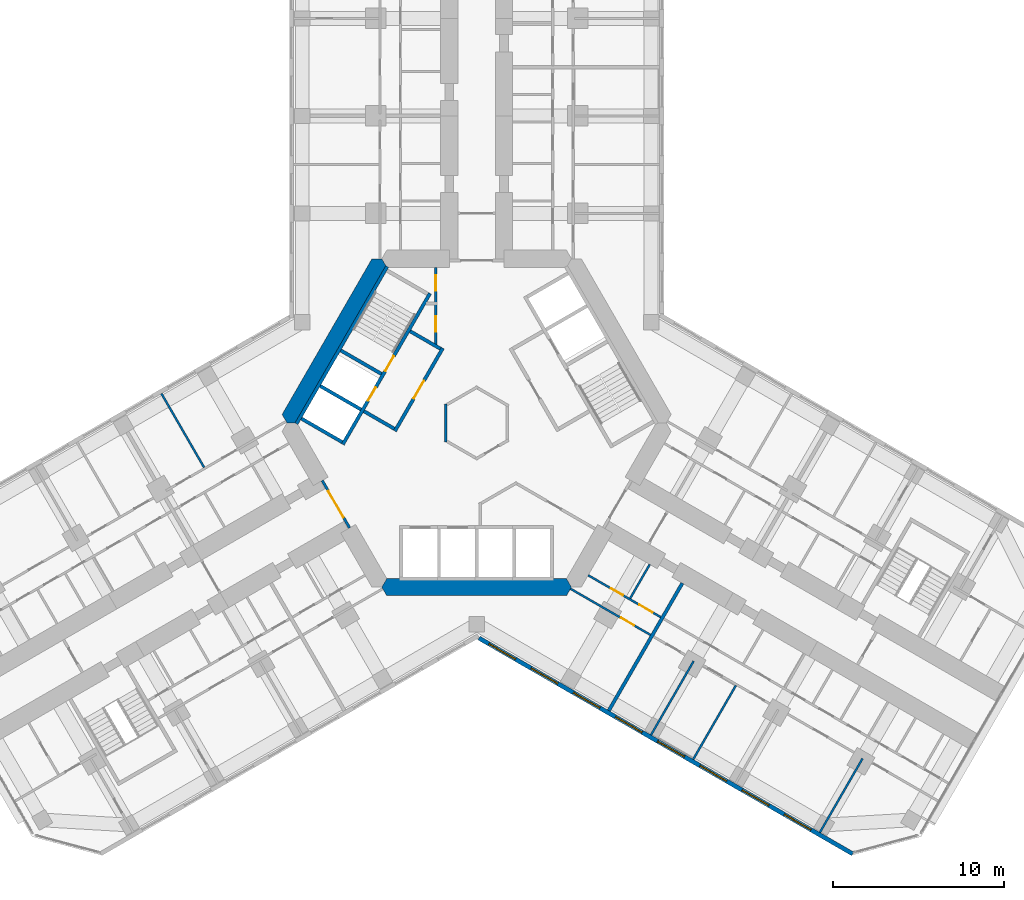
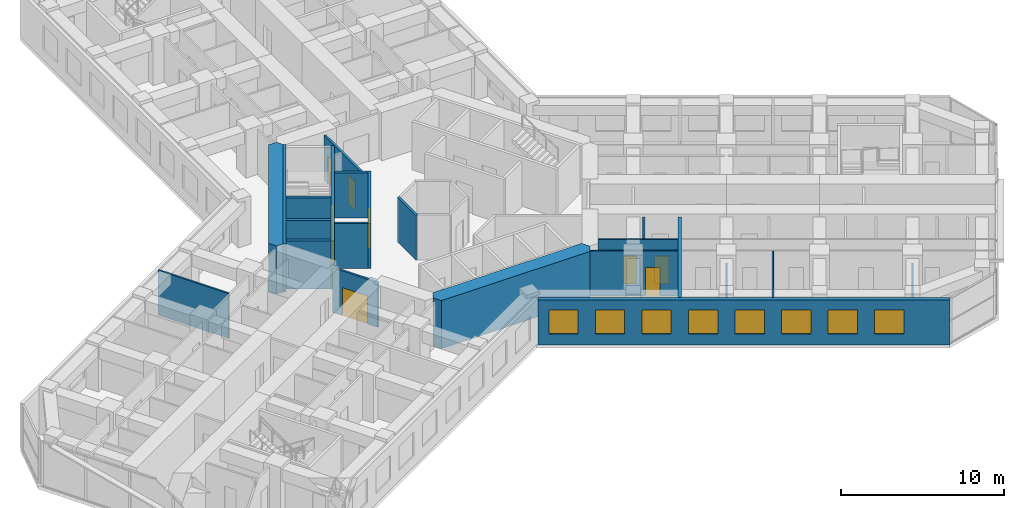
# One storey, part 13 of 21: 22 walls, 9 doors, 8 windows, 17 openings.
"""IFC4 building model written with IfcOpenShell, lengths in metres."""

from ifc_helpers import new_model, si_unit, direction, frame, frame_2d, origin, place, context, subcontext, project, spatial, polyline, rectangle, outline, extrude, material, layer, layer_set, type_object, element, fill, save


model = new_model("IFC4")

# Units and contexts
model_context = context("Model", 3, precision=1e-05, world=origin(), true_north=direction((0.0, 1.0)))
body_context = subcontext(model_context, "Body", "Model", "MODEL_VIEW")
ifc_project = project(units=[si_unit("LENGTHUNIT", "METRE"), si_unit("AREAUNIT", "SQUARE_METRE"), si_unit("VOLUMEUNIT", "CUBIC_METRE"), si_unit("PLANEANGLEUNIT", "RADIAN"), si_unit("MASSUNIT", "GRAM", prefix="KILO")], contexts=[model_context])

# Site, building, storey
site_placement = place(None, origin())
site = spatial("IfcSite", under=ifc_project, at=site_placement, CompositionType="ELEMENT")
building_placement = place(site_placement, origin())
building = spatial("IfcBuilding", under=site, at=building_placement, Name="Kosmar Iwan School Tower", CompositionType="ELEMENT")
storey_placement = place(building_placement, frame((0.0, 0.0, 80.800048828125)))
storey = spatial("IfcBuildingStorey", under=building, at=storey_placement, Name="L19", CompositionType="ELEMENT", Elevation=80.800048828125)

# Wall, openings, doors
ifc_material_1 = material(Name="Gypsum board on steel studs, fire-rated", Category="steel")
ifc_layer_1 = layer(ifc_material_1, 0.14990234375)
ifc_layer_set_1 = layer_set([ifc_layer_1], Name="Core room partition 150")
wall_type_1 = type_object("IfcWallType", Name="Core room partition 150", PredefinedType="PARTITIONING", material=ifc_layer_set_1)
wall_1_placement = place(storey_placement, frame((-2.39990234375, 9.094970703125, 0.0), z_axis=(0.0, 0.0, 1.0), x_axis=(0.0, -1.0, 0.0)))
wall_1 = element("IfcWall", 1, at=wall_1_placement, inside=storey, type_object=wall_type_1, Name="Core room partition L19-CW1", PredefinedType="PARTITIONING", context=body_context, shape_type="SweptSolid", body=[
    extrude(rectangle(XDim=4.564208984375, YDim=0.14990234375, at=frame_2d((2.2822265625, 0.0))), origin(), (0.0, 0.0, 1.0), 3.349853515625),
])
opening_1_placement = place(wall_1_placement, frame((0.455078125, 0.0, 0.0)))
opening_1 = element("IfcOpeningElement", 2, at=opening_1_placement, cuts=wall_1, Name="Opening D14", PredefinedType="OPENING", context=body_context, shape_type="SweptSolid", body=[
    extrude(rectangle(XDim=0.89990234375, YDim=2.10009765625, at=frame_2d((0.449951171875, 1.050048828125))), frame((0.0, 0.0869140625, 0.0), z_axis=(0.0, -1.0, 0.0), x_axis=(1.0, 0.0, 0.0)), (0.0, 0.0, 1.0), 0.173828125),
])
opening_2_placement = place(wall_1_placement, frame((2.85498046875, 0.0, 0.0)))
opening_2 = element("IfcOpeningElement", 3, at=opening_2_placement, cuts=wall_1, Name="Opening D14", PredefinedType="OPENING", context=body_context, shape_type="SweptSolid", body=[
    extrude(rectangle(XDim=0.89990234375, YDim=2.10009765625, at=frame_2d((0.449951171875, 1.050048828125))), frame((0.0, 0.0869140625, 0.0), z_axis=(0.0, -1.0, 0.0), x_axis=(1.0, 0.0, 0.0)), (0.0, 0.0, 1.0), 0.173828125),
])
ifc_material_2 = material(Name="Timber fire door in steel frame", Category="steel")
door_type_1 = type_object("IfcDoorType", Name="Core room door 900x2100", OperationType="SINGLE_SWING_LEFT", PredefinedType="DOOR", material=ifc_material_2)
door_1_placement = place(opening_1_placement, origin())
door_1 = element("IfcDoor", 4, at=door_1_placement, inside=storey, type_object=door_type_1, Name="Electrical riser and switch room door L19 1", OperationType="SINGLE_SWING_LEFT", OverallHeight=2.10009765625, OverallWidth=0.89990234375, PredefinedType="DOOR", context=body_context, shape_type="SweptSolid", body=[
    extrude(rectangle(XDim=0.89990234375, YDim=2.10009765625, at=frame_2d((0.449951171875, 1.050048828125))), frame((0.0, 0.02490234375, 0.0), z_axis=(0.0, -1.0, 0.0), x_axis=(1.0, 0.0, 0.0)), (0.0, 0.0, 1.0), 0.050048828125),
])
fill(opening_1, door_1)
door_2_placement = place(opening_2_placement, origin())
door_2 = element("IfcDoor", 5, at=door_2_placement, inside=storey, type_object=door_type_1, Name="Plumbing and wet riser door L19 2", OperationType="SINGLE_SWING_RIGHT", OverallHeight=2.10009765625, OverallWidth=0.89990234375, PredefinedType="DOOR", context=body_context, shape_type="SweptSolid", body=[
    extrude(rectangle(XDim=0.89990234375, YDim=2.10009765625, at=frame_2d((0.449951171875, 1.050048828125))), frame((0.0, 0.02490234375, 0.0), z_axis=(0.0, -1.0, 0.0), x_axis=(1.0, 0.0, 0.0)), (0.0, 0.0, 1.0), 0.050048828125),
])
fill(opening_2, door_2)

# Walls
wall_2_placement = place(storey_placement, frame((-1.800048828125, -1.1142578125, 0.0), z_axis=(0.0, 0.0, 1.0), x_axis=(0.0, 1.0, 0.0)))
element("IfcWall", 6, at=wall_2_placement, inside=storey, type_object=wall_type_1, Name="Core room partition L19-CW6", PredefinedType="PARTITIONING", context=body_context, shape_type="SweptSolid", body=[
    extrude(rectangle(XDim=2.228515625, YDim=0.14990234375, at=frame_2d((1.1142578125, 0.0))), origin(), (0.0, 0.0, 1.0), 3.349853515625),
])
ifc_material_3 = material(Name="Concrete C50/60", Category="concrete")
ifc_layer_2 = layer(ifc_material_3, 1.0)
ifc_layer_set_2 = layer_set([ifc_layer_2], Name="Core wall 1000")
wall_type_2 = type_object("IfcWallType", Name="Core wall 1000", PredefinedType="SHEAR", material=ifc_layer_set_2)
wall_3_placement = place(storey_placement, origin())
element("IfcWall", 7, at=wall_3_placement, inside=storey, type_object=wall_type_2, Name="Core wall F150", PredefinedType="SHEAR", context=body_context, shape_type="SweptSolid", body=[
    extrude(outline(polyline([(-11.085205078125, 0.0), (-10.5078125, 0.0), (-5.25390625, 9.10009765625), (-5.54248046875, 9.60009765625), (-6.119873046875, 9.60009765625), (-11.373779296875, 0.5), (-11.085205078125, 0.0)])), origin(), (0.0, 0.0, 1.0), 3.599853515625),
])
wall_4_placement = place(storey_placement, origin())
element("IfcWall", 8, at=wall_4_placement, inside=storey, type_object=wall_type_2, Name="Core wall F270", PredefinedType="SHEAR", context=body_context, shape_type="SweptSolid", body=[
    extrude(outline(polyline([(-5.25390625, -10.10009765625), (5.25390625, -10.10009765625), (5.54248046875, -9.60009765625), (5.25390625, -9.10009765625), (-5.25390625, -9.10009765625), (-5.54248046875, -9.60009765625), (-5.25390625, -10.10009765625)])), origin(), (0.0, 0.0, 1.0), 3.599853515625),
])

# Wall, opening, door
ifc_material_4 = material(Name="Steel framed glazed screen", Category="steel")
ifc_layer_3 = layer(ifc_material_4, 0.14990234375)
ifc_layer_set_3 = layer_set([ifc_layer_3], Name="Corridor screen wall 150")
wall_type_3 = type_object("IfcWallType", Name="Corridor screen wall 150", PredefinedType="PARTITIONING", material=ifc_layer_set_3)
wall_5_placement = place(storey_placement, frame((-9.02734375, -3.3642578125, 0.0), z_axis=(0.0, 0.0, 1.0), x_axis=(0.499995408039, -0.866028054938, 0.0)))
wall_5 = element("IfcWall", 9, at=wall_5_placement, inside=storey, type_object=wall_type_3, Name="Corridor screen B L19", PredefinedType="PARTITIONING", context=body_context, shape_type="SweptSolid", body=[
    extrude(rectangle(XDim=3.2001953125, YDim=0.14990234375, at=frame_2d((1.60009765625, 0.0))), origin(), (0.0, 0.0, 1.0), 3.349853515625),
])
opening_3_placement = place(wall_5_placement, frame((0.699951171875, 0.0, 0.0)))
opening_3 = element("IfcOpeningElement", 10, at=opening_3_placement, cuts=wall_5, Name="Opening D9", PredefinedType="OPENING", context=body_context, shape_type="SweptSolid", body=[
    extrude(rectangle(XDim=1.800048828125, YDim=2.10009765625, at=frame_2d((0.89990234375, 1.050048828125))), frame((0.0, 0.0869140625, 0.0), z_axis=(0.0, -1.0, 0.0), x_axis=(1.0, 0.0, 0.0)), (0.0, 0.0, 1.0), 0.173828125),
])
ifc_material_5 = material(Name="Steel framed glazed smoke door", Category="steel")
door_type_2 = type_object("IfcDoorType", Name="Corridor smoke door pair 1800x2100", OperationType="DOUBLE_DOOR_DOUBLE_SWING", PredefinedType="DOOR", material=ifc_material_5)
door_3_placement = place(opening_3_placement, origin())
door_3 = element("IfcDoor", 11, at=door_3_placement, inside=storey, type_object=door_type_2, Name="Corridor doors B L19", OperationType="DOUBLE_DOOR_DOUBLE_SWING", OverallHeight=2.10009765625, OverallWidth=1.800048828125, PredefinedType="DOOR", context=body_context, shape_type="SweptSolid", body=[
    extrude(rectangle(XDim=1.800048828125, YDim=2.10009765625, at=frame_2d((0.89990234375, 1.050048828125))), frame((0.0, 0.02490234375, 0.0), z_axis=(0.0, -1.0, 0.0), x_axis=(1.0, 0.0, 0.0)), (0.0, 0.0, 1.0), 0.050048828125),
])
fill(opening_3, door_3)

# Wall
ifc_material_6 = material(Name="Gypsum board on steel studs", Category="steel")
ifc_layer_4 = layer(ifc_material_6, 0.1201171875)
ifc_layer_set_4 = layer_set([ifc_layer_4], Name="Dwelling partition 120")
wall_type_4 = type_object("IfcWallType", Name="Dwelling partition 120", PredefinedType="PARTITIONING", material=ifc_layer_set_4)
wall_6_placement = place(storey_placement, frame((-15.931884765625, -2.60498046875, 0.0), z_axis=(0.0, 0.0, 1.0), x_axis=(-0.500011847778, 0.866018563358, 0.0)))
element("IfcWall", 12, at=wall_6_placement, inside=storey, type_object=wall_type_4, Name="Partition L19-BR1-X1", PredefinedType="PARTITIONING", context=body_context, shape_type="SweptSolid", body=[
    extrude(rectangle(XDim=4.990234375, YDim=0.1201171875, at=frame_2d((2.4951171875, 0.0))), origin(), (0.0, 0.0, 1.0), 3.349853515625),
])

# Wall, openings, doors
wall_7_placement = place(storey_placement, frame((6.521728515625, -8.90380859375, 0.0), z_axis=(0.0, 0.0, 1.0), x_axis=(0.866036242063, -0.49998122708, 0.0)))
wall_7 = element("IfcWall", 13, at=wall_7_placement, inside=storey, type_object=wall_type_4, Name="Partition L19-CR1-W1", PredefinedType="PARTITIONING", context=body_context, shape_type="SweptSolid", body=[
    extrude(rectangle(XDim=4.900146484375, YDim=0.1201171875, at=frame_2d((2.4501953125, 0.0))), origin(), (0.0, 0.0, 1.0), 3.349853515625),
])
opening_4_placement = place(wall_7_placement, frame((1.550048828125, 0.0, 0.0)))
opening_4 = element("IfcOpeningElement", 14, at=opening_4_placement, cuts=wall_7, Name="Opening D3", PredefinedType="OPENING", context=body_context, shape_type="SweptSolid", body=[
    extrude(rectangle(XDim=0.800048828125, YDim=2.10009765625, at=frame_2d((0.39990234375, 1.050048828125))), frame((0.0, 0.072021484375, 0.0), z_axis=(0.0, -1.0, 0.0), x_axis=(1.0, 0.0, 0.0)), (0.0, 0.0, 1.0), 0.14404296875),
])
opening_5_placement = place(wall_7_placement, frame((3.449951171875, 0.0, 0.0)))
opening_5 = element("IfcOpeningElement", 15, at=opening_5_placement, cuts=wall_7, Name="Opening D2", PredefinedType="OPENING", context=body_context, shape_type="SweptSolid", body=[
    extrude(rectangle(XDim=0.89990234375, YDim=2.10009765625, at=frame_2d((0.449951171875, 1.050048828125))), frame((0.0, 0.072021484375, 0.0), z_axis=(0.0, -1.0, 0.0), x_axis=(1.0, 0.0, 0.0)), (0.0, 0.0, 1.0), 0.14404296875),
])
ifc_material_7 = material(Name="Timber door in timber frame", Category="wood")
door_type_3 = type_object("IfcDoorType", Name="Internal door 900x2100", OperationType="SINGLE_SWING_LEFT", PredefinedType="DOOR", material=ifc_material_7)
door_4_placement = place(opening_5_placement, origin())
door_4 = element("IfcDoor", 16, at=door_4_placement, inside=storey, type_object=door_type_3, Name="Entrance hall door L19-CR1-S2", OperationType="SINGLE_SWING_RIGHT", OverallHeight=2.10009765625, OverallWidth=0.89990234375, PredefinedType="DOOR", context=body_context, shape_type="SweptSolid", body=[
    extrude(rectangle(XDim=0.89990234375, YDim=2.10009765625, at=frame_2d((0.449951171875, 1.050048828125))), frame((0.0, 0.02490234375, 0.0), z_axis=(0.0, -1.0, 0.0), x_axis=(1.0, 0.0, 0.0)), (0.0, 0.0, 1.0), 0.050048828125),
])
fill(opening_5, door_4)
ifc_material_8 = material(Name="Timber door in timber frame", Category="wood")
door_type_4 = type_object("IfcDoorType", Name="Sanitary room door 800x2100", OperationType="SINGLE_SWING_LEFT", PredefinedType="DOOR", material=ifc_material_8)
door_5_placement = place(opening_4_placement, origin())
door_5 = element("IfcDoor", 17, at=door_5_placement, inside=storey, type_object=door_type_4, Name="Bathroom door L19-CR1-S1", OperationType="SINGLE_SWING_RIGHT", OverallHeight=2.10009765625, OverallWidth=0.800048828125, PredefinedType="DOOR", context=body_context, shape_type="SweptSolid", body=[
    extrude(rectangle(XDim=0.800048828125, YDim=2.10009765625, at=frame_2d((0.39990234375, 1.050048828125))), frame((0.0, 0.02490234375, 0.0), z_axis=(0.0, -1.0, 0.0), x_axis=(1.0, 0.0, 0.0)), (0.0, 0.0, 1.0), 0.050048828125),
])
fill(opening_4, door_5)

# Wall, opening, door
wall_8_placement = place(storey_placement, frame((5.48876953125, -9.693115234375, 0.0), z_axis=(0.0, 0.0, 1.0), x_axis=(0.866028230842, -0.499995103361, 0.0)))
wall_8 = element("IfcWall", 18, at=wall_8_placement, inside=storey, type_object=wall_type_4, Name="Partition L19-CR1-W2", PredefinedType="PARTITIONING", context=body_context, shape_type="SweptSolid", body=[
    extrude(rectangle(XDim=5.39990234375, YDim=0.1201171875, at=frame_2d((2.699951171875, 0.0))), origin(), (0.0, 0.0, 1.0), 3.349853515625),
])
opening_6_placement = place(wall_8_placement, frame((3.39990234375, 0.0, 0.0)))
opening_6 = element("IfcOpeningElement", 19, at=opening_6_placement, cuts=wall_8, Name="Opening D2", PredefinedType="OPENING", context=body_context, shape_type="SweptSolid", body=[
    extrude(rectangle(XDim=0.89990234375, YDim=2.10009765625, at=frame_2d((0.449951171875, 1.050048828125))), frame((0.0, 0.072021484375, 0.0), z_axis=(0.0, -1.0, 0.0), x_axis=(1.0, 0.0, 0.0)), (0.0, 0.0, 1.0), 0.14404296875),
])
door_6_placement = place(opening_6_placement, origin())
door_6 = element("IfcDoor", 20, at=door_6_placement, inside=storey, type_object=door_type_3, Name="Studio living room and kitchen door L19-CR1-F1", OperationType="SINGLE_SWING_RIGHT", OverallHeight=2.10009765625, OverallWidth=0.89990234375, PredefinedType="DOOR", context=body_context, shape_type="SweptSolid", body=[
    extrude(rectangle(XDim=0.89990234375, YDim=2.10009765625, at=frame_2d((0.449951171875, 1.050048828125))), frame((0.0, 0.02490234375, 0.0), z_axis=(0.0, -1.0, 0.0), x_axis=(1.0, 0.0, 0.0)), (0.0, 0.0, 1.0), 0.050048828125),
])
fill(opening_6, door_6)

# Walls
wall_9_placement = place(storey_placement, frame((10.121826171875, -8.2685546875, 0.0), z_axis=(0.0, 0.0, 1.0), x_axis=(-0.499968531483, -0.866043571379, 0.0)))
element("IfcWall", 21, at=wall_9_placement, inside=storey, type_object=wall_type_4, Name="Partition L19-CR1-Y1", PredefinedType="PARTITIONING", context=body_context, shape_type="SweptSolid", body=[
    extrude(rectangle(XDim=2.290283203125, YDim=0.1201171875, at=frame_2d((1.14501953125, 0.0))), origin(), (0.0, 0.0, 1.0), 3.349853515625),
])
wall_10_placement = place(storey_placement, frame((12.690185546875, -13.919921875, 0.0), z_axis=(0.0, 0.0, 1.0), x_axis=(-0.500011847778, -0.866018563358, 0.0)))
element("IfcWall", 22, at=wall_10_placement, inside=storey, type_object=wall_type_4, Name="Partition L19-CR2-X1", PredefinedType="PARTITIONING", context=body_context, shape_type="SweptSolid", body=[
    extrude(rectangle(XDim=4.990234375, YDim=0.1201171875, at=frame_2d((2.4951171875, 0.0))), origin(), (0.0, 0.0, 1.0), 2.449951171875),
])
wall_11_placement = place(storey_placement, frame((15.158447265625, -15.344970703125, 0.0), z_axis=(0.0, 0.0, 1.0), x_axis=(-0.500011847778, -0.866018563358, 0.0)))
element("IfcWall", 23, at=wall_11_placement, inside=storey, type_object=wall_type_4, Name="Partition L19-CR2-X2", PredefinedType="PARTITIONING", context=body_context, shape_type="SweptSolid", body=[
    extrude(rectangle(XDim=4.990234375, YDim=0.1201171875, at=frame_2d((2.4951171875, 0.0))), origin(), (0.0, 0.0, 1.0), 3.349853515625),
])
wall_12_placement = place(storey_placement, frame((22.562744140625, -19.6201171875, 0.0), z_axis=(0.0, 0.0, 1.0), x_axis=(-0.499996339024, -0.86602751744, 0.0)))
element("IfcWall", 24, at=wall_12_placement, inside=storey, type_object=wall_type_4, Name="Partition L19-CR2-X4", PredefinedType="PARTITIONING", context=body_context, shape_type="SweptSolid", body=[
    extrude(rectangle(XDim=4.98974609375, YDim=0.1201171875, at=frame_2d((2.494873046875, 0.0))), origin(), (0.0, 0.0, 1.0), 2.449951171875),
])

# Wall, openings, windows
ifc_material_9 = material(Name="Black aluminium rainscreen on insulated framing", Category="aluminium")
ifc_layer_5 = layer(ifc_material_9, 0.25)
ifc_layer_set_5 = layer_set([ifc_layer_5], Name="External wall rainscreen 250")
wall_type_5 = type_object("IfcWallType", Name="External wall rainscreen 250", PredefinedType="SOLIDWALL", material=ifc_layer_set_5)
wall_13_placement = place(storey_placement, frame((0.137939453125, -12.5791015625, 0.0), z_axis=(0.0, 0.0, 1.0), x_axis=(0.866023775649, -0.500002820003, 0.0)))
wall_13 = element("IfcWall", 25, at=wall_13_placement, inside=storey, type_object=wall_type_5, Name="External wall CR L19", PredefinedType="SOLIDWALL", context=body_context, shape_type="SweptSolid", body=[
    extrude(rectangle(XDim=25.226318359375, YDim=0.25, at=frame_2d((12.61328125, 0.0))), origin(), (0.0, 0.0, 1.0), 3.349853515625),
])
opening_7_placement = place(wall_13_placement, frame((0.666015625, 0.0, 0.800048828125)))
opening_7 = element("IfcOpeningElement", 26, at=opening_7_placement, cuts=wall_13, Name="Opening W1", PredefinedType="OPENING", context=body_context, shape_type="SweptSolid", body=[
    extrude(rectangle(XDim=1.800048828125, YDim=1.800048828125, at=frame_2d((0.89990234375, 0.89990234375))), frame((0.0, 0.136962890625, 0.0), z_axis=(0.0, -1.0, 0.0), x_axis=(1.0, 0.0, 0.0)), (0.0, 0.0, 1.0), 0.27392578125),
])
opening_8_placement = place(wall_13_placement, frame((3.51611328125, 0.0, 0.800048828125)))
opening_8 = element("IfcOpeningElement", 27, at=opening_8_placement, cuts=wall_13, Name="Opening W1", PredefinedType="OPENING", context=body_context, shape_type="SweptSolid", body=[
    extrude(rectangle(XDim=1.800048828125, YDim=1.800048828125, at=frame_2d((0.89990234375, 0.89990234375))), frame((0.0, 0.136962890625, 0.0), z_axis=(0.0, -1.0, 0.0), x_axis=(1.0, 0.0, 0.0)), (0.0, 0.0, 1.0), 0.27392578125),
])
opening_9_placement = place(wall_13_placement, frame((6.365966796875, 0.0, 0.800048828125)))
opening_9 = element("IfcOpeningElement", 28, at=opening_9_placement, cuts=wall_13, Name="Opening W1", PredefinedType="OPENING", context=body_context, shape_type="SweptSolid", body=[
    extrude(rectangle(XDim=1.800048828125, YDim=1.800048828125, at=frame_2d((0.89990234375, 0.89990234375))), frame((0.0, 0.136962890625, 0.0), z_axis=(0.0, -1.0, 0.0), x_axis=(1.0, 0.0, 0.0)), (0.0, 0.0, 1.0), 0.27392578125),
])
opening_10_placement = place(wall_13_placement, frame((9.216064453125, 0.0, 0.800048828125)))
opening_10 = element("IfcOpeningElement", 29, at=opening_10_placement, cuts=wall_13, Name="Opening W1", PredefinedType="OPENING", context=body_context, shape_type="SweptSolid", body=[
    extrude(rectangle(XDim=1.800048828125, YDim=1.800048828125, at=frame_2d((0.89990234375, 0.89990234375))), frame((0.0, 0.136962890625, 0.0), z_axis=(0.0, -1.0, 0.0), x_axis=(1.0, 0.0, 0.0)), (0.0, 0.0, 1.0), 0.27392578125),
])
opening_11_placement = place(wall_13_placement, frame((12.06591796875, 0.0, 0.800048828125)))
opening_11 = element("IfcOpeningElement", 30, at=opening_11_placement, cuts=wall_13, Name="Opening W1", PredefinedType="OPENING", context=body_context, shape_type="SweptSolid", body=[
    extrude(rectangle(XDim=1.800048828125, YDim=1.800048828125, at=frame_2d((0.89990234375, 0.89990234375))), frame((0.0, 0.136962890625, 0.0), z_axis=(0.0, -1.0, 0.0), x_axis=(1.0, 0.0, 0.0)), (0.0, 0.0, 1.0), 0.27392578125),
])
opening_12_placement = place(wall_13_placement, frame((14.916015625, 0.0, 0.800048828125)))
opening_12 = element("IfcOpeningElement", 31, at=opening_12_placement, cuts=wall_13, Name="Opening W1", PredefinedType="OPENING", context=body_context, shape_type="SweptSolid", body=[
    extrude(rectangle(XDim=1.800048828125, YDim=1.800048828125, at=frame_2d((0.89990234375, 0.89990234375))), frame((0.0, 0.136962890625, 0.0), z_axis=(0.0, -1.0, 0.0), x_axis=(1.0, 0.0, 0.0)), (0.0, 0.0, 1.0), 0.27392578125),
])
opening_13_placement = place(wall_13_placement, frame((17.76611328125, 0.0, 0.800048828125)))
opening_13 = element("IfcOpeningElement", 32, at=opening_13_placement, cuts=wall_13, Name="Opening W1", PredefinedType="OPENING", context=body_context, shape_type="SweptSolid", body=[
    extrude(rectangle(XDim=1.800048828125, YDim=1.800048828125, at=frame_2d((0.89990234375, 0.89990234375))), frame((0.0, 0.136962890625, 0.0), z_axis=(0.0, -1.0, 0.0), x_axis=(1.0, 0.0, 0.0)), (0.0, 0.0, 1.0), 0.27392578125),
])
opening_14_placement = place(wall_13_placement, frame((20.615966796875, 0.0, 0.800048828125)))
opening_14 = element("IfcOpeningElement", 33, at=opening_14_placement, cuts=wall_13, Name="Opening W1", PredefinedType="OPENING", context=body_context, shape_type="SweptSolid", body=[
    extrude(rectangle(XDim=1.800048828125, YDim=1.800048828125, at=frame_2d((0.89990234375, 0.89990234375))), frame((0.0, 0.136962890625, 0.0), z_axis=(0.0, -1.0, 0.0), x_axis=(1.0, 0.0, 0.0)), (0.0, 0.0, 1.0), 0.27392578125),
])
ifc_material_10 = material(Name="Black aluminium frame with dark triple glazing", Category="aluminium")
window_type = type_object("IfcWindowType", Name="Window 1800x1800", PartitioningType="SINGLE_PANEL", PredefinedType="WINDOW", material=ifc_material_10)
window_1_placement = place(opening_7_placement, origin())
window_1 = element("IfcWindow", 34, at=window_1_placement, inside=storey, type_object=window_type, Name="Window CR L19 -1", OverallHeight=1.800048828125, OverallWidth=1.800048828125, PartitioningType="SINGLE_PANEL", PredefinedType="WINDOW", context=body_context, shape_type="SweptSolid", body=[
    extrude(rectangle(XDim=1.800048828125, YDim=1.800048828125, at=frame_2d((0.89990234375, 0.89990234375))), frame((0.0, 0.030029296875, 0.0), z_axis=(0.0, -1.0, 0.0), x_axis=(1.0, 0.0, 0.0)), (0.0, 0.0, 1.0), 0.06005859375),
])
fill(opening_7, window_1)
window_2_placement = place(opening_8_placement, origin())
window_2 = element("IfcWindow", 35, at=window_2_placement, inside=storey, type_object=window_type, Name="Window CR L19 0", OverallHeight=1.800048828125, OverallWidth=1.800048828125, PartitioningType="SINGLE_PANEL", PredefinedType="WINDOW", context=body_context, shape_type="SweptSolid", body=[
    extrude(rectangle(XDim=1.800048828125, YDim=1.800048828125, at=frame_2d((0.89990234375, 0.89990234375))), frame((0.0, 0.030029296875, 0.0), z_axis=(0.0, -1.0, 0.0), x_axis=(1.0, 0.0, 0.0)), (0.0, 0.0, 1.0), 0.06005859375),
])
fill(opening_8, window_2)
window_3_placement = place(opening_9_placement, origin())
window_3 = element("IfcWindow", 36, at=window_3_placement, inside=storey, type_object=window_type, Name="Window CR L19 1", OverallHeight=1.800048828125, OverallWidth=1.800048828125, PartitioningType="SINGLE_PANEL", PredefinedType="WINDOW", context=body_context, shape_type="SweptSolid", body=[
    extrude(rectangle(XDim=1.800048828125, YDim=1.800048828125, at=frame_2d((0.89990234375, 0.89990234375))), frame((0.0, 0.030029296875, 0.0), z_axis=(0.0, -1.0, 0.0), x_axis=(1.0, 0.0, 0.0)), (0.0, 0.0, 1.0), 0.06005859375),
])
fill(opening_9, window_3)
window_4_placement = place(opening_10_placement, origin())
window_4 = element("IfcWindow", 37, at=window_4_placement, inside=storey, type_object=window_type, Name="Window CR L19 2", OverallHeight=1.800048828125, OverallWidth=1.800048828125, PartitioningType="SINGLE_PANEL", PredefinedType="WINDOW", context=body_context, shape_type="SweptSolid", body=[
    extrude(rectangle(XDim=1.800048828125, YDim=1.800048828125, at=frame_2d((0.89990234375, 0.89990234375))), frame((0.0, 0.030029296875, 0.0), z_axis=(0.0, -1.0, 0.0), x_axis=(1.0, 0.0, 0.0)), (0.0, 0.0, 1.0), 0.06005859375),
])
fill(opening_10, window_4)
window_5_placement = place(opening_11_placement, origin())
window_5 = element("IfcWindow", 38, at=window_5_placement, inside=storey, type_object=window_type, Name="Window CR L19 3", OverallHeight=1.800048828125, OverallWidth=1.800048828125, PartitioningType="SINGLE_PANEL", PredefinedType="WINDOW", context=body_context, shape_type="SweptSolid", body=[
    extrude(rectangle(XDim=1.800048828125, YDim=1.800048828125, at=frame_2d((0.89990234375, 0.89990234375))), frame((0.0, 0.030029296875, 0.0), z_axis=(0.0, -1.0, 0.0), x_axis=(1.0, 0.0, 0.0)), (0.0, 0.0, 1.0), 0.06005859375),
])
fill(opening_11, window_5)
window_6_placement = place(opening_12_placement, origin())
window_6 = element("IfcWindow", 39, at=window_6_placement, inside=storey, type_object=window_type, Name="Window CR L19 4", OverallHeight=1.800048828125, OverallWidth=1.800048828125, PartitioningType="SINGLE_PANEL", PredefinedType="WINDOW", context=body_context, shape_type="SweptSolid", body=[
    extrude(rectangle(XDim=1.800048828125, YDim=1.800048828125, at=frame_2d((0.89990234375, 0.89990234375))), frame((0.0, 0.030029296875, 0.0), z_axis=(0.0, -1.0, 0.0), x_axis=(1.0, 0.0, 0.0)), (0.0, 0.0, 1.0), 0.06005859375),
])
fill(opening_12, window_6)
window_7_placement = place(opening_13_placement, origin())
window_7 = element("IfcWindow", 40, at=window_7_placement, inside=storey, type_object=window_type, Name="Window CR L19 5", OverallHeight=1.800048828125, OverallWidth=1.800048828125, PartitioningType="SINGLE_PANEL", PredefinedType="WINDOW", context=body_context, shape_type="SweptSolid", body=[
    extrude(rectangle(XDim=1.800048828125, YDim=1.800048828125, at=frame_2d((0.89990234375, 0.89990234375))), frame((0.0, 0.030029296875, 0.0), z_axis=(0.0, -1.0, 0.0), x_axis=(1.0, 0.0, 0.0)), (0.0, 0.0, 1.0), 0.06005859375),
])
fill(opening_13, window_7)
window_8_placement = place(opening_14_placement, origin())
window_8 = element("IfcWindow", 41, at=window_8_placement, inside=storey, type_object=window_type, Name="Window CR L19 6", OverallHeight=1.800048828125, OverallWidth=1.800048828125, PartitioningType="SINGLE_PANEL", PredefinedType="WINDOW", context=body_context, shape_type="SweptSolid", body=[
    extrude(rectangle(XDim=1.800048828125, YDim=1.800048828125, at=frame_2d((0.89990234375, 0.89990234375))), frame((0.0, 0.030029296875, 0.0), z_axis=(0.0, -1.0, 0.0), x_axis=(1.0, 0.0, 0.0)), (0.0, 0.0, 1.0), 0.06005859375),
])
fill(opening_14, window_8)

# Wall, opening, door
ifc_material_11 = material(Name="Concrete block masonry", Category="masonry")
ifc_layer_6 = layer(ifc_material_11, 0.199951171875)
ifc_layer_set_6 = layer_set([ifc_layer_6], Name="Fire lobby wall 200")
wall_type_6 = type_object("IfcWallType", Name="Fire lobby wall 200", PredefinedType="PARTITIONING", material=ifc_layer_set_6)
wall_14_placement = place(storey_placement, frame((-1.9775390625, 4.374755859375, 0.0), z_axis=(0.0, 0.0, 1.0), x_axis=(-0.500016814911, -0.866015695474, 0.0)))
wall_14 = element("IfcWall", 42, at=wall_14_placement, inside=storey, type_object=wall_type_6, Name="Firefighting lobby wall ST2", PredefinedType="PARTITIONING", context=body_context, shape_type="SweptSolid", body=[
    extrude(rectangle(XDim=5.599853515625, YDim=0.199951171875, at=frame_2d((2.7998046875, 0.0))), origin(), (0.0, 0.0, 1.0), 3.349853515625),
])
opening_15_placement = place(wall_14_placement, frame((2.199951171875, 0.0, 0.0)))
opening_15 = element("IfcOpeningElement", 43, at=opening_15_placement, cuts=wall_14, Name="Opening D7", PredefinedType="OPENING", context=body_context, shape_type="SweptSolid", body=[
    extrude(rectangle(XDim=1.199951171875, YDim=2.10009765625, at=frame_2d((0.60009765625, 1.050048828125))), frame((0.0, 0.112060546875, 0.0), z_axis=(0.0, -1.0, 0.0), x_axis=(1.0, 0.0, 0.0)), (0.0, 0.0, 1.0), 0.223876953125),
])
ifc_material_12 = material(Name="Steel fire door", Category="steel")
door_type_5 = type_object("IfcDoorType", Name="Fire lobby door 1200x2100", OperationType="SINGLE_SWING_LEFT", PredefinedType="DOOR", material=ifc_material_12)
door_7_placement = place(opening_15_placement, origin())
door_7 = element("IfcDoor", 44, at=door_7_placement, inside=storey, type_object=door_type_5, Name="Firefighting lobby door ST2 L19", OperationType="SINGLE_SWING_LEFT", OverallHeight=2.10009765625, OverallWidth=1.199951171875, PredefinedType="DOOR", context=body_context, shape_type="SweptSolid", body=[
    extrude(rectangle(XDim=1.199951171875, YDim=2.10009765625, at=frame_2d((0.60009765625, 1.050048828125))), frame((0.0, 0.02490234375, 0.0), z_axis=(0.0, -1.0, 0.0), x_axis=(1.0, 0.0, 0.0)), (0.0, 0.0, 1.0), 0.050048828125),
])
fill(opening_15, door_7)

# Walls
wall_15_placement = place(storey_placement, frame((-2.114013671875, 4.33837890625, 0.0), z_axis=(0.0, 0.0, 1.0), x_axis=(-0.866050731258, 0.499956128963, 0.0)))
element("IfcWall", 45, at=wall_15_placement, inside=storey, type_object=wall_type_6, Name="Firefighting lobby wall ST2", PredefinedType="PARTITIONING", context=body_context, shape_type="SweptSolid", body=[
    extrude(rectangle(XDim=2.050048828125, YDim=0.199951171875, at=frame_2d((1.02490234375, 0.0))), origin(), (0.0, 0.0, 1.0), 3.349853515625),
])
wall_16_placement = place(storey_placement, frame((-4.814208984375, -0.33837890625, 0.0), z_axis=(0.0, 0.0, 1.0), x_axis=(-0.865969381856, 0.500097020274, 0.0)))
element("IfcWall", 46, at=wall_16_placement, inside=storey, type_object=wall_type_6, Name="Firefighting lobby wall ST2", PredefinedType="PARTITIONING", context=body_context, shape_type="SweptSolid", body=[
    extrude(rectangle(XDim=2.0498046875, YDim=0.199951171875, at=frame_2d((1.02490234375, 0.0))), origin(), (0.0, 0.0, 1.0), 3.349853515625),
])

# Wall, openings, doors
ifc_material_13 = material(Name="Concrete C50/60", Category="concrete")
ifc_layer_7 = layer(ifc_material_13, 0.199951171875)
ifc_layer_set_7 = layer_set([ifc_layer_7], Name="Lift shaft wall 200")
wall_type_7 = type_object("IfcWallType", Name="Lift shaft wall 200", PredefinedType="SHEAR", material=ifc_layer_set_7)
wall_17_placement = place(storey_placement, frame((-2.72607421875, 7.578369140625, 0.0), z_axis=(0.0, 0.0, 1.0), x_axis=(-0.500005610874, -0.86602216432, 0.0)))
wall_17 = element("IfcWall", 47, at=wall_17_placement, inside=storey, type_object=wall_type_7, Name="Lift and stair front wall AB", PredefinedType="SHEAR", context=body_context, shape_type="SweptSolid", body=[
    extrude(rectangle(XDim=10.2001953125, YDim=0.199951171875, at=frame_2d((5.10009765625, 0.0))), origin(), (0.0, 0.0, 1.0), 3.599853515625),
])
opening_16_placement = place(wall_17_placement, frame((6.35009765625, 0.0, 0.0)))
opening_16 = element("IfcOpeningElement", 48, at=opening_16_placement, cuts=wall_17, Name="Opening LD2", PredefinedType="OPENING", context=body_context, shape_type="SweptSolid", body=[
    extrude(rectangle(XDim=0.89990234375, YDim=2.10009765625, at=frame_2d((0.449951171875, 1.050048828125))), frame((0.0, 0.112060546875, 0.0), z_axis=(0.0, -1.0, 0.0), x_axis=(1.0, 0.0, 0.0)), (0.0, 0.0, 1.0), 0.223876953125),
])
opening_17_placement = place(wall_17_placement, frame((4.22998046875, 0.0, 0.0)))
opening_17 = element("IfcOpeningElement", 49, at=opening_17_placement, cuts=wall_17, Name="Opening D6", PredefinedType="OPENING", context=body_context, shape_type="SweptSolid", body=[
    extrude(rectangle(XDim=1.0, YDim=2.10009765625, at=frame_2d((0.5, 1.050048828125))), frame((0.0, 0.112060546875, 0.0), z_axis=(0.0, -1.0, 0.0), x_axis=(1.0, 0.0, 0.0)), (0.0, 0.0, 1.0), 0.223876953125),
])
ifc_material_14 = material(Name="Stainless steel sliding lift door", Category="steel")
door_type_6 = type_object("IfcDoorType", Name="Firefighting lift landing door 900x2100", OperationType="SLIDING_TO_LEFT", PredefinedType="DOOR", material=ifc_material_14)
door_8_placement = place(opening_16_placement, origin())
door_8 = element("IfcDoor", 50, at=door_8_placement, inside=storey, type_object=door_type_6, Name="Lift FF2 landing door L19", OperationType="SLIDING_TO_LEFT", OverallHeight=2.10009765625, OverallWidth=0.89990234375, PredefinedType="DOOR", context=body_context, shape_type="SweptSolid", body=[
    extrude(rectangle(XDim=0.89990234375, YDim=2.10009765625, at=frame_2d((0.449951171875, 1.050048828125))), frame((0.0, 0.02490234375, 0.0), z_axis=(0.0, -1.0, 0.0), x_axis=(1.0, 0.0, 0.0)), (0.0, 0.0, 1.0), 0.050048828125),
])
fill(opening_16, door_8)
ifc_material_15 = material(Name="Steel fire door", Category="steel")
door_type_7 = type_object("IfcDoorType", Name="Stair door 1000x2100", OperationType="SINGLE_SWING_LEFT", PredefinedType="DOOR", material=ifc_material_15)
door_9_placement = place(opening_17_placement, origin())
door_9 = element("IfcDoor", 51, at=door_9_placement, inside=storey, type_object=door_type_7, Name="Stair ST2 door L19", OperationType="SINGLE_SWING_LEFT", OverallHeight=2.10009765625, OverallWidth=1.0, PredefinedType="DOOR", context=body_context, shape_type="SweptSolid", body=[
    extrude(rectangle(XDim=1.0, YDim=2.10009765625, at=frame_2d((0.5, 1.050048828125))), frame((0.0, 0.02490234375, 0.0), z_axis=(0.0, -1.0, 0.0), x_axis=(1.0, 0.0, 0.0)), (0.0, 0.0, 1.0), 0.050048828125),
])
fill(opening_17, door_9)

# Walls
wall_18_placement = place(storey_placement, frame((-5.22509765625, 9.14990234375, 0.0), z_axis=(0.0, 0.0, 1.0), x_axis=(-0.499994998079, -0.866028291626, 0.0)))
element("IfcWall", 52, at=wall_18_placement, inside=storey, type_object=wall_type_7, Name="Lift and stair back wall AB", PredefinedType="SHEAR", context=body_context, shape_type="SweptSolid", body=[
    extrude(rectangle(XDim=10.623046875, YDim=0.199951171875, at=frame_2d((5.3115234375, 0.0))), origin(), (0.0, 0.0, 1.0), 3.599853515625),
])
for number, where, z_axis, x_axis, name in (
    (53, (-6.7626953125, 0.78662109375, 0.0), (0.0, 0.0, 1.0), (-0.866027397988, 0.499996545922, 0.0), "Lift shaft wall AB 1"),
    (54, (-7.862548828125, -1.118408203125, 0.0), (0.0, 0.0, 1.0), (-0.866027397988, 0.499996545922, 0.0), "Lift shaft wall AB 2"),
):
    element("IfcWall", number, at=place(storey_placement, frame(where, z_axis=z_axis, x_axis=x_axis)), inside=storey, type_object=wall_type_7, Name=name, PredefinedType="SHEAR", context=body_context, shape_type="SweptSolid", body=[
        extrude(rectangle(XDim=2.75, YDim=0.199951171875, at=frame_2d((1.375, 0.0))), origin(), (0.0, 0.0, 1.0), 3.599853515625),
    ])
ifc_material_16 = material(Name="Concrete block masonry", Category="masonry")
ifc_layer_8 = layer(ifc_material_16, 0.199951171875)
ifc_layer_set_8 = layer_set([ifc_layer_8], Name="Party wall 200")
wall_type_8 = type_object("IfcWallType", Name="Party wall 200", PredefinedType="PARTITIONING", material=ifc_layer_set_8)
wall_19_placement = place(storey_placement, frame((12.027099609375, -9.36865234375, 0.0), z_axis=(0.0, 0.0, 1.0), x_axis=(-0.500007509209, -0.866021068297, 0.0)))
element("IfcWall", 55, at=wall_19_placement, inside=storey, type_object=wall_type_8, Name="Partition L19-CR2-PW", PredefinedType="PARTITIONING", context=body_context, shape_type="SweptSolid", body=[
    extrude(rectangle(XDim=8.599853515625, YDim=0.199951171875, at=frame_2d((4.2998046875, 0.0))), origin(), (0.0, 0.0, 1.0), 3.349853515625),
])
ifc_material_17 = material(Name="Concrete C50/60", Category="concrete")
ifc_layer_9 = layer(ifc_material_17, 0.199951171875)
ifc_layer_set_9 = layer_set([ifc_layer_9], Name="Stair enclosure wall 200")
wall_type_9 = type_object("IfcWallType", Name="Stair enclosure wall 200", PredefinedType="SHEAR", material=ifc_layer_set_9)
wall_20_placement = place(storey_placement, frame((-5.562744140625, 2.865234375, 0.0), z_axis=(0.0, 0.0, 1.0), x_axis=(-0.866027397988, 0.499996545922, 0.0)))
element("IfcWall", 56, at=wall_20_placement, inside=storey, type_object=wall_type_9, Name="Stair ST2 wall", PredefinedType="SHEAR", context=body_context, shape_type="SweptSolid", body=[
    extrude(rectangle(XDim=2.75, YDim=0.199951171875, at=frame_2d((1.375, 0.0))), origin(), (0.0, 0.0, 1.0), 3.599853515625),
])

save(model, "model.ifc")
